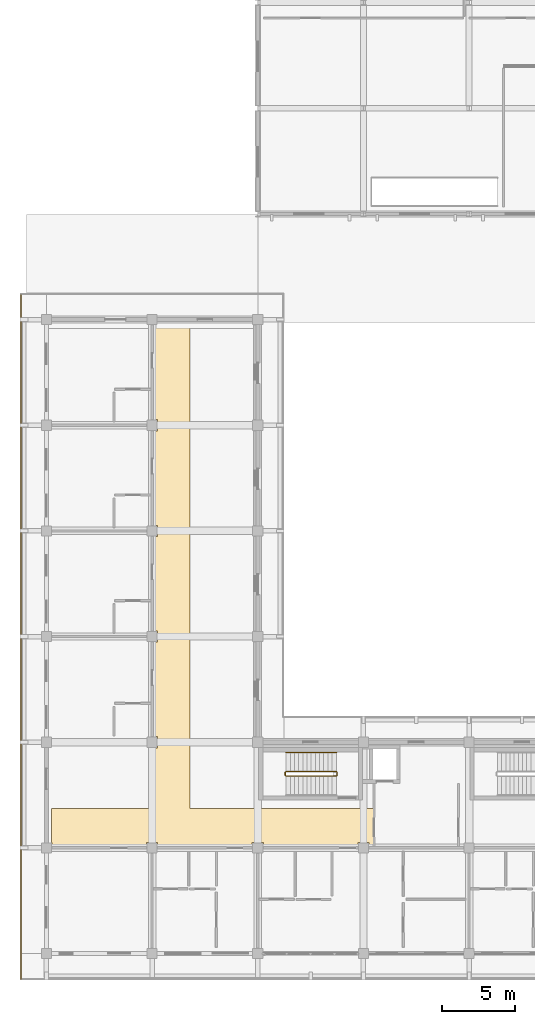
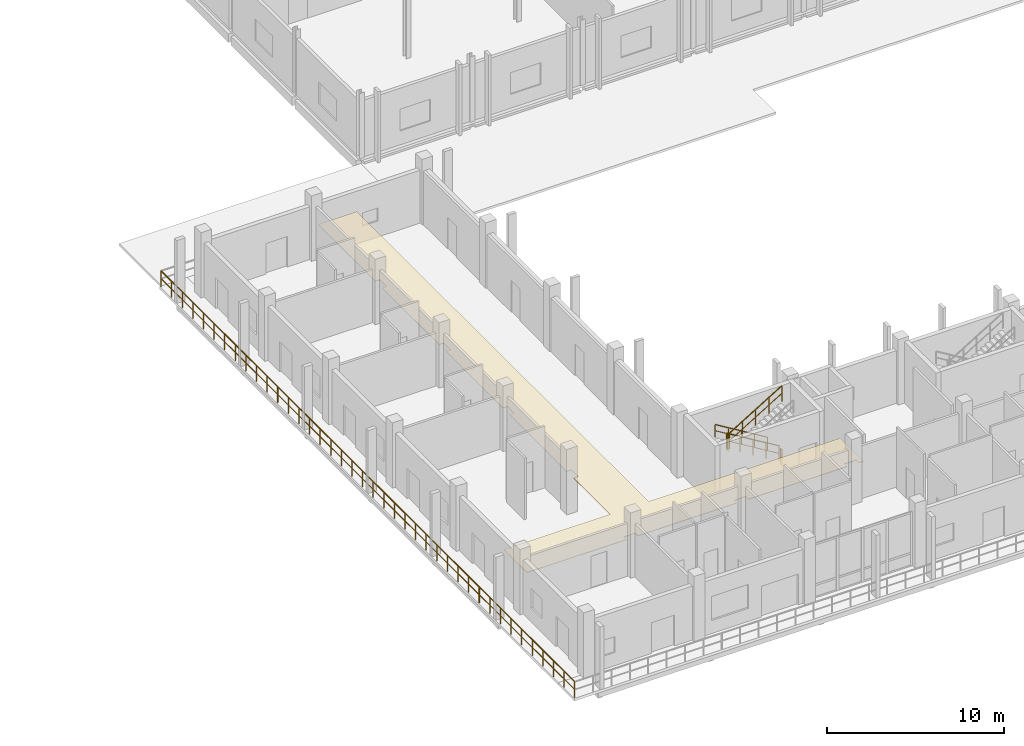
# One storey, part 94 of 110: 6 railings, 1 covering.
"""IFC4 building model written with IfcOpenShell, lengths in metres."""

from ifc_helpers import new_model, si_unit, direction, frame, origin, origin_2d, place, context, subcontext, project, spatial, polyline, rectangle, outline, extrude, material, layer, layer_set, type_object, element, save


model = new_model("IFC4")

# Units and contexts
model_context = context("Model", 3, precision=1e-05, world=origin(), true_north=direction((0.0, 1.0)))
body_context = subcontext(model_context, "Body", "Model", "MODEL_VIEW")
ifc_project = project(units=[si_unit("LENGTHUNIT", "METRE"), si_unit("AREAUNIT", "SQUARE_METRE"), si_unit("VOLUMEUNIT", "CUBIC_METRE"), si_unit("PLANEANGLEUNIT", "RADIAN"), si_unit("MASSUNIT", "GRAM", prefix="KILO")], contexts=[model_context])

# Site, building, storey
site_placement = place(None, origin())
site = spatial("IfcSite", under=ifc_project, at=site_placement, CompositionType="ELEMENT")
building_placement = place(site_placement, origin())
building = spatial("IfcBuilding", under=site, at=building_placement, Name="Suanplinth Sawtooth Commons", CompositionType="ELEMENT")
storey_placement = place(building_placement, frame((0.0, 0.0, 4.5)))
storey = spatial("IfcBuildingStorey", under=building, at=storey_placement, Name="L01", CompositionType="ELEMENT", Elevation=4.5)

# Covering
ifc_material_1 = material(Name="Mineral fibre acoustic tile")
ifc_layer = layer(ifc_material_1, 0.0400390625, Name="Perforated mineral-fibre acoustic suspended ceiling")
ifc_layer_set = layer_set([ifc_layer], Name="Mineral fibre acoustic tile")
covering_type = type_object("IfcCoveringType", Name="CV-CE01", PredefinedType="CEILING", material=ifc_layer_set)
covering_placement = place(storey_placement, frame((0.0, 0.0, 2.3798828125)))
element("IfcCovering", 1, at=covering_placement, inside=storey, type_object=covering_type, Name="L01 Block D Corridor Acoustic Ceiling", PredefinedType="CEILING", context=body_context, shape_type="SweptSolid", body=[
    extrude(outline(polyline([(0.360107421875, 9.89990234375), (7.280029296875, 9.89990234375), (7.280029296875, 14.02001953125), (7.580078125, 14.02001953125), (7.580078125, 14.780029296875), (7.280029296875, 14.780029296875), (7.280029296875, 21.219970703125), (7.580078125, 21.219970703125), (7.580078125, 21.97998046875), (7.280029296875, 21.97998046875), (7.280029296875, 28.419921875), (7.580078125, 28.419921875), (7.580078125, 29.179931640625), (7.280029296875, 29.179931640625), (7.280029296875, 35.6201171875), (7.580078125, 35.6201171875), (7.580078125, 36.3798828125), (7.280029296875, 36.3798828125), (7.280029296875, 42.820068359375), (7.580078125, 42.820068359375), (7.580078125, 42.840087890625), (9.800048828125, 42.840087890625), (9.800048828125, 9.89990234375), (22.280029296875, 9.89990234375), (22.280029296875, 7.280029296875), (21.97998046875, 7.280029296875), (21.97998046875, 7.580078125), (21.219970703125, 7.580078125), (21.219970703125, 7.280029296875), (14.780029296875, 7.280029296875), (14.780029296875, 7.580078125), (14.02001953125, 7.580078125), (14.02001953125, 7.280029296875), (7.580078125, 7.280029296875), (7.580078125, 7.580078125), (6.820068359375, 7.580078125), (6.820068359375, 7.280029296875), (0.3798828125, 7.280029296875), (0.3798828125, 7.580078125), (0.360107421875, 7.580078125), (0.360107421875, 9.89990234375)])), origin(), (0.0, 0.0, 1.0), 0.0400390625),
])

# Railings
ifc_material_2 = material(Name="Powder-coated galvanized steel", Category="steel")
railing_type_1 = type_object("IfcRailingType", Name="GR-01", PredefinedType="BALUSTRADE", material=ifc_material_2)
railing_1_placement = place(storey_placement, frame((-1.739990234375, -1.739990234375, 0.0)))
element("IfcRailing", 2, at=railing_1_placement, inside=storey, type_object=railing_type_1, Name="L01 Block D Perimeter Balustrade 1", PredefinedType="BALUSTRADE", context=body_context, shape_type="SweptSolid", body=[
    extrude(rectangle(XDim=0.048095703125, YDim=0.048095703125, at=origin_2d()), frame((0.0, 0.0, 1.09619140625), z_axis=(0.0, 1.0, 0.0), x_axis=(-1.0, 0.0, 0.0)), (0.0, 0.0, 1.0), 46.679931640625),
    extrude(rectangle(XDim=0.03369140625, YDim=0.03369140625, at=origin_2d()), frame((0.0, 0.0, 0.56005859375), z_axis=(0.0, 1.0, 0.0), x_axis=(-1.0, 0.0, 0.0)), (0.0, 0.0, 1.0), 46.679931640625),
    extrude(rectangle(XDim=0.0419921875, YDim=0.0419921875, at=origin_2d()), origin(), (0.0, 0.0, 1.0), 1.072021484375),
    extrude(rectangle(XDim=0.0419921875, YDim=0.0419921875, at=origin_2d()), frame((0.0, 1.197021484375, 0.0)), (0.0, 0.0, 1.0), 1.072021484375),
    extrude(rectangle(XDim=0.0419921875, YDim=0.0419921875, at=origin_2d()), frame((0.0, 2.393798828125, 0.0)), (0.0, 0.0, 1.0), 1.072021484375),
    extrude(rectangle(XDim=0.0419921875, YDim=0.0419921875, at=origin_2d()), frame((0.0, 3.5908203125, 0.0)), (0.0, 0.0, 1.0), 1.072021484375),
    extrude(rectangle(XDim=0.0419921875, YDim=0.0419921875, at=origin_2d()), frame((0.0, 4.78759765625, 0.0)), (0.0, 0.0, 1.0), 1.072021484375),
    extrude(rectangle(XDim=0.0419921875, YDim=0.0419921875, at=origin_2d()), frame((0.0, 5.984619140625, 0.0)), (0.0, 0.0, 1.0), 1.072021484375),
    extrude(rectangle(XDim=0.0419921875, YDim=0.0419921875, at=origin_2d()), frame((0.0, 7.181640625, 0.0)), (0.0, 0.0, 1.0), 1.072021484375),
    extrude(rectangle(XDim=0.0419921875, YDim=0.0419921875, at=origin_2d()), frame((0.0, 8.37841796875, 0.0)), (0.0, 0.0, 1.0), 1.072021484375),
    extrude(rectangle(XDim=0.0419921875, YDim=0.0419921875, at=origin_2d()), frame((0.0, 9.575439453125, 0.0)), (0.0, 0.0, 1.0), 1.072021484375),
    extrude(rectangle(XDim=0.0419921875, YDim=0.0419921875, at=origin_2d()), frame((0.0, 10.772216796875, 0.0)), (0.0, 0.0, 1.0), 1.072021484375),
    extrude(rectangle(XDim=0.0419921875, YDim=0.0419921875, at=origin_2d()), frame((0.0, 11.96923828125, 0.0)), (0.0, 0.0, 1.0), 1.072021484375),
    extrude(rectangle(XDim=0.0419921875, YDim=0.0419921875, at=origin_2d()), frame((0.0, 13.166015625, 0.0)), (0.0, 0.0, 1.0), 1.072021484375),
    extrude(rectangle(XDim=0.0419921875, YDim=0.0419921875, at=origin_2d()), frame((0.0, 14.363037109375, 0.0)), (0.0, 0.0, 1.0), 1.072021484375),
    extrude(rectangle(XDim=0.0419921875, YDim=0.0419921875, at=origin_2d()), frame((0.0, 15.56005859375, 0.0)), (0.0, 0.0, 1.0), 1.072021484375),
    extrude(rectangle(XDim=0.0419921875, YDim=0.0419921875, at=origin_2d()), frame((0.0, 16.7568359375, 0.0)), (0.0, 0.0, 1.0), 1.072021484375),
    extrude(rectangle(XDim=0.0419921875, YDim=0.0419921875, at=origin_2d()), frame((0.0, 17.953857421875, 0.0)), (0.0, 0.0, 1.0), 1.072021484375),
    extrude(rectangle(XDim=0.0419921875, YDim=0.0419921875, at=origin_2d()), frame((0.0, 19.150634765625, 0.0)), (0.0, 0.0, 1.0), 1.072021484375),
    extrude(rectangle(XDim=0.0419921875, YDim=0.0419921875, at=origin_2d()), frame((0.0, 20.34765625, 0.0)), (0.0, 0.0, 1.0), 1.072021484375),
    extrude(rectangle(XDim=0.0419921875, YDim=0.0419921875, at=origin_2d()), frame((0.0, 21.544677734375, 0.0)), (0.0, 0.0, 1.0), 1.072021484375),
    extrude(rectangle(XDim=0.0419921875, YDim=0.0419921875, at=origin_2d()), frame((0.0, 22.741455078125, 0.0)), (0.0, 0.0, 1.0), 1.072021484375),
    extrude(rectangle(XDim=0.0419921875, YDim=0.0419921875, at=origin_2d()), frame((0.0, 23.9384765625, 0.0)), (0.0, 0.0, 1.0), 1.072021484375),
    extrude(rectangle(XDim=0.0419921875, YDim=0.0419921875, at=origin_2d()), frame((0.0, 25.13525390625, 0.0)), (0.0, 0.0, 1.0), 1.072021484375),
    extrude(rectangle(XDim=0.0419921875, YDim=0.0419921875, at=origin_2d()), frame((0.0, 26.332275390625, 0.0)), (0.0, 0.0, 1.0), 1.072021484375),
    extrude(rectangle(XDim=0.0419921875, YDim=0.0419921875, at=origin_2d()), frame((0.0, 27.529296875, 0.0)), (0.0, 0.0, 1.0), 1.072021484375),
    extrude(rectangle(XDim=0.0419921875, YDim=0.0419921875, at=origin_2d()), frame((0.0, 28.72607421875, 0.0)), (0.0, 0.0, 1.0), 1.072021484375),
    extrude(rectangle(XDim=0.0419921875, YDim=0.0419921875, at=origin_2d()), frame((0.0, 29.923095703125, 0.0)), (0.0, 0.0, 1.0), 1.072021484375),
    extrude(rectangle(XDim=0.0419921875, YDim=0.0419921875, at=origin_2d()), frame((0.0, 31.119873046875, 0.0)), (0.0, 0.0, 1.0), 1.072021484375),
    extrude(rectangle(XDim=0.0419921875, YDim=0.0419921875, at=origin_2d()), frame((0.0, 32.31689453125, 0.0)), (0.0, 0.0, 1.0), 1.072021484375),
    extrude(rectangle(XDim=0.0419921875, YDim=0.0419921875, at=origin_2d()), frame((0.0, 33.513916015625, 0.0)), (0.0, 0.0, 1.0), 1.072021484375),
    extrude(rectangle(XDim=0.0419921875, YDim=0.0419921875, at=origin_2d()), frame((0.0, 34.710693359375, 0.0)), (0.0, 0.0, 1.0), 1.072021484375),
    extrude(rectangle(XDim=0.0419921875, YDim=0.0419921875, at=origin_2d()), frame((0.0, 35.90771484375, 0.0)), (0.0, 0.0, 1.0), 1.072021484375),
    extrude(rectangle(XDim=0.0419921875, YDim=0.0419921875, at=origin_2d()), frame((0.0, 37.1044921875, 0.0)), (0.0, 0.0, 1.0), 1.072021484375),
    extrude(rectangle(XDim=0.0419921875, YDim=0.0419921875, at=origin_2d()), frame((0.0, 38.301513671875, 0.0)), (0.0, 0.0, 1.0), 1.072021484375),
    extrude(rectangle(XDim=0.0419921875, YDim=0.0419921875, at=origin_2d()), frame((0.0, 39.498291015625, 0.0)), (0.0, 0.0, 1.0), 1.072021484375),
    extrude(rectangle(XDim=0.0419921875, YDim=0.0419921875, at=origin_2d()), frame((0.0, 40.6953125, 0.0)), (0.0, 0.0, 1.0), 1.072021484375),
    extrude(rectangle(XDim=0.0419921875, YDim=0.0419921875, at=origin_2d()), frame((0.0, 41.892333984375, 0.0)), (0.0, 0.0, 1.0), 1.072021484375),
    extrude(rectangle(XDim=0.0419921875, YDim=0.0419921875, at=origin_2d()), frame((0.0, 43.089111328125, 0.0)), (0.0, 0.0, 1.0), 1.072021484375),
    extrude(rectangle(XDim=0.0419921875, YDim=0.0419921875, at=origin_2d()), frame((0.0, 44.2861328125, 0.0)), (0.0, 0.0, 1.0), 1.072021484375),
    extrude(rectangle(XDim=0.0419921875, YDim=0.0419921875, at=origin_2d()), frame((0.0, 45.48291015625, 0.0)), (0.0, 0.0, 1.0), 1.072021484375),
    extrude(rectangle(XDim=0.0419921875, YDim=0.0419921875, at=origin_2d()), frame((0.0, 46.679931640625, 0.0)), (0.0, 0.0, 1.0), 1.072021484375),
])
ifc_material_3 = material(Name="Stainless steel Grade 304", Category="steel")
railing_type_2 = type_object("IfcRailingType", Name="GR-04", PredefinedType="GUARDRAIL", material=ifc_material_3)
railing_2_placement = place(storey_placement, frame((19.75, 12.39990234375, 0.173095703125)))
element("IfcRailing", 3, at=railing_2_placement, inside=storey, type_object=railing_type_2, Name="L01 ST-W1 Guard 1", PredefinedType="GUARDRAIL", context=body_context, shape_type="SweptSolid", body=[
    extrude(rectangle(XDim=0.048095703125, YDim=0.048095703125, at=origin_2d()), frame((0.0, 0.0, 1.076171875), z_axis=(-0.854729506542, 0.0, 0.519073665916), x_axis=(0.0, -1.0, 0.0)), (0.0, 0.0, 1.0), 4.001220703125),
    extrude(rectangle(XDim=0.03369140625, YDim=0.03369140625, at=origin_2d()), frame((0.0, 0.0, 0.550048828125), z_axis=(-0.854729506542, 0.0, 0.519073665916), x_axis=(0.0, -1.0, 0.0)), (0.0, 0.0, 1.0), 4.001220703125),
    extrude(rectangle(XDim=0.0419921875, YDim=0.0419921875, at=origin_2d()), origin(), (0.0, 0.0, 1.0), 1.052001953125),
    extrude(rectangle(XDim=0.0419921875, YDim=0.0419921875, at=origin_2d()), frame((-0.85498046875, 0.0, 0.519287109375)), (0.0, 0.0, 1.0), 1.052001953125),
    extrude(rectangle(XDim=0.0419921875, YDim=0.0419921875, at=origin_2d()), frame((-1.7099609375, 0.0, 1.03857421875)), (0.0, 0.0, 1.0), 1.052001953125),
    extrude(rectangle(XDim=0.0419921875, YDim=0.0419921875, at=origin_2d()), frame((-2.56494140625, 0.0, 1.5576171875)), (0.0, 0.0, 1.0), 1.052001953125),
    extrude(rectangle(XDim=0.0419921875, YDim=0.0419921875, at=origin_2d()), frame((-3.419921875, 0.0, 2.076904296875)), (0.0, 0.0, 1.0), 1.052001953125),
])
railing_3_placement = place(storey_placement, frame((16.280029296875, 12.35009765625, 2.25)))
element("IfcRailing", 4, at=railing_3_placement, inside=storey, type_object=railing_type_2, Name="L01 ST-W1 Guard 2", PredefinedType="GUARDRAIL", context=body_context, shape_type="SweptSolid", body=[
    extrude(rectangle(XDim=0.048095703125, YDim=0.048095703125, at=origin_2d()), frame((0.0, 0.0, 1.076171875), z_axis=(0.0, -1.0, 0.0), x_axis=(1.0, 0.0, 0.0)), (0.0, 0.0, 1.0), 0.2001953125),
    extrude(rectangle(XDim=0.03369140625, YDim=0.03369140625, at=origin_2d()), frame((0.0, 0.0, 0.550048828125), z_axis=(0.0, -1.0, 0.0), x_axis=(1.0, 0.0, 0.0)), (0.0, 0.0, 1.0), 0.2001953125),
    extrude(rectangle(XDim=0.0419921875, YDim=0.0419921875, at=origin_2d()), origin(), (0.0, 0.0, 1.0), 1.052001953125),
    extrude(rectangle(XDim=0.0419921875, YDim=0.0419921875, at=origin_2d()), frame((0.0, -0.2001953125, 0.0)), (0.0, 0.0, 1.0), 1.052001953125),
])
railing_4_placement = place(storey_placement, frame((16.330078125, 12.10009765625, 2.423095703125)))
element("IfcRailing", 5, at=railing_4_placement, inside=storey, type_object=railing_type_2, Name="L01 ST-W1 Guard 3", PredefinedType="GUARDRAIL", context=body_context, shape_type="SweptSolid", body=[
    extrude(rectangle(XDim=0.048095703125, YDim=0.048095703125, at=origin_2d()), frame((0.0, 0.0, 1.076171875), z_axis=(0.854729506542, 0.0, 0.519073665916), x_axis=(0.0, 1.0, 0.0)), (0.0, 0.0, 1.0), 4.001220703125),
    extrude(rectangle(XDim=0.03369140625, YDim=0.03369140625, at=origin_2d()), frame((0.0, 0.0, 0.550048828125), z_axis=(0.854729506542, 0.0, 0.519073665916), x_axis=(0.0, 1.0, 0.0)), (0.0, 0.0, 1.0), 4.001220703125),
    extrude(rectangle(XDim=0.0419921875, YDim=0.0419921875, at=origin_2d()), origin(), (0.0, 0.0, 1.0), 1.052001953125),
    extrude(rectangle(XDim=0.0419921875, YDim=0.0419921875, at=origin_2d()), frame((0.85498046875, 0.0, 0.519287109375)), (0.0, 0.0, 1.0), 1.052001953125),
    extrude(rectangle(XDim=0.0419921875, YDim=0.0419921875, at=origin_2d()), frame((1.7099609375, 0.0, 1.03857421875)), (0.0, 0.0, 1.0), 1.052001953125),
    extrude(rectangle(XDim=0.0419921875, YDim=0.0419921875, at=origin_2d()), frame((2.56494140625, 0.0, 1.5576171875)), (0.0, 0.0, 1.0), 1.052001953125),
    extrude(rectangle(XDim=0.0419921875, YDim=0.0419921875, at=origin_2d()), frame((3.419921875, 0.0, 2.076904296875)), (0.0, 0.0, 1.0), 1.052001953125),
])
railing_5_placement = place(storey_placement, frame((19.800048828125, 12.35009765625, 0.0)))
element("IfcRailing", 6, at=railing_5_placement, inside=storey, type_object=railing_type_2, Name="L01 ST-W1 Guard 4", PredefinedType="GUARDRAIL", context=body_context, shape_type="SweptSolid", body=[
    extrude(rectangle(XDim=0.048095703125, YDim=0.048095703125, at=origin_2d()), frame((0.0, 0.0, 1.076171875), z_axis=(0.0, -1.0, 0.0), x_axis=(1.0, 0.0, 0.0)), (0.0, 0.0, 1.0), 0.2001953125),
    extrude(rectangle(XDim=0.03369140625, YDim=0.03369140625, at=origin_2d()), frame((0.0, 0.0, 0.550048828125), z_axis=(0.0, -1.0, 0.0), x_axis=(1.0, 0.0, 0.0)), (0.0, 0.0, 1.0), 0.2001953125),
    extrude(rectangle(XDim=0.0419921875, YDim=0.0419921875, at=origin_2d()), origin(), (0.0, 0.0, 1.0), 1.052001953125),
    extrude(rectangle(XDim=0.0419921875, YDim=0.0419921875, at=origin_2d()), frame((0.0, -0.2001953125, 0.0)), (0.0, 0.0, 1.0), 1.052001953125),
])
railing_type_3 = type_object("IfcRailingType", Name="HR-01", PredefinedType="HANDRAIL", material=ifc_material_3)
railing_6_placement = place(storey_placement, frame((19.75, 13.699951171875, 0.173095703125)))
element("IfcRailing", 7, at=railing_6_placement, inside=storey, type_object=railing_type_3, Name="L01 ST-W1 Handrail 1", PredefinedType="HANDRAIL", context=body_context, shape_type="SweptSolid", body=[
    extrude(rectangle(XDim=0.048095703125, YDim=0.048095703125, at=origin_2d()), frame((0.0, 0.0, 0.8759765625), z_axis=(-0.854729506542, 0.0, 0.519073665916), x_axis=(0.0, -1.0, 0.0)), (0.0, 0.0, 1.0), 4.001220703125),
    extrude(rectangle(XDim=0.03369140625, YDim=0.03369140625, at=origin_2d()), frame((0.0, 0.0, 0.449951171875), z_axis=(-0.854729506542, 0.0, 0.519073665916), x_axis=(0.0, -1.0, 0.0)), (0.0, 0.0, 1.0), 4.001220703125),
    extrude(rectangle(XDim=0.0419921875, YDim=0.0419921875, at=origin_2d()), origin(), (0.0, 0.0, 1.0), 0.851806640625),
    extrude(rectangle(XDim=0.0419921875, YDim=0.0419921875, at=origin_2d()), frame((-0.85498046875, 0.0, 0.519287109375)), (0.0, 0.0, 1.0), 0.851806640625),
    extrude(rectangle(XDim=0.0419921875, YDim=0.0419921875, at=origin_2d()), frame((-1.7099609375, 0.0, 1.03857421875)), (0.0, 0.0, 1.0), 0.851806640625),
    extrude(rectangle(XDim=0.0419921875, YDim=0.0419921875, at=origin_2d()), frame((-2.56494140625, 0.0, 1.5576171875)), (0.0, 0.0, 1.0), 0.851806640625),
    extrude(rectangle(XDim=0.0419921875, YDim=0.0419921875, at=origin_2d()), frame((-3.419921875, 0.0, 2.076904296875)), (0.0, 0.0, 1.0), 0.851806640625),
])

save(model, "model.ifc")
